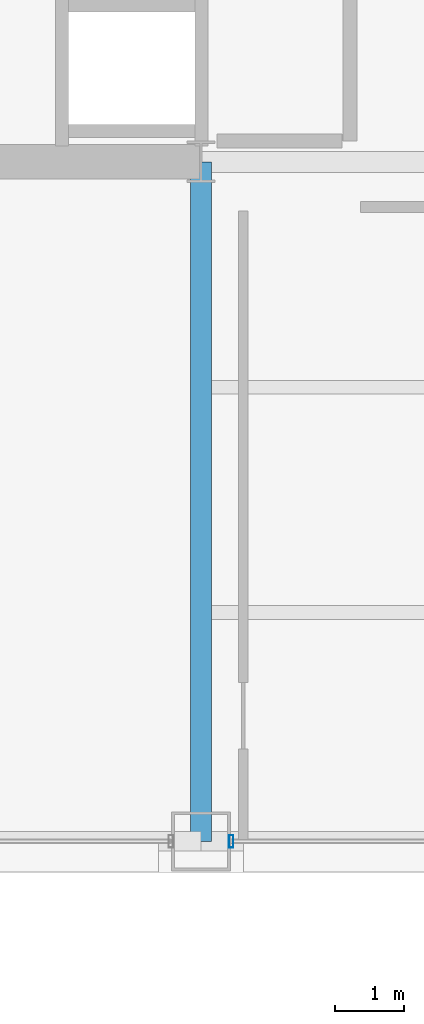
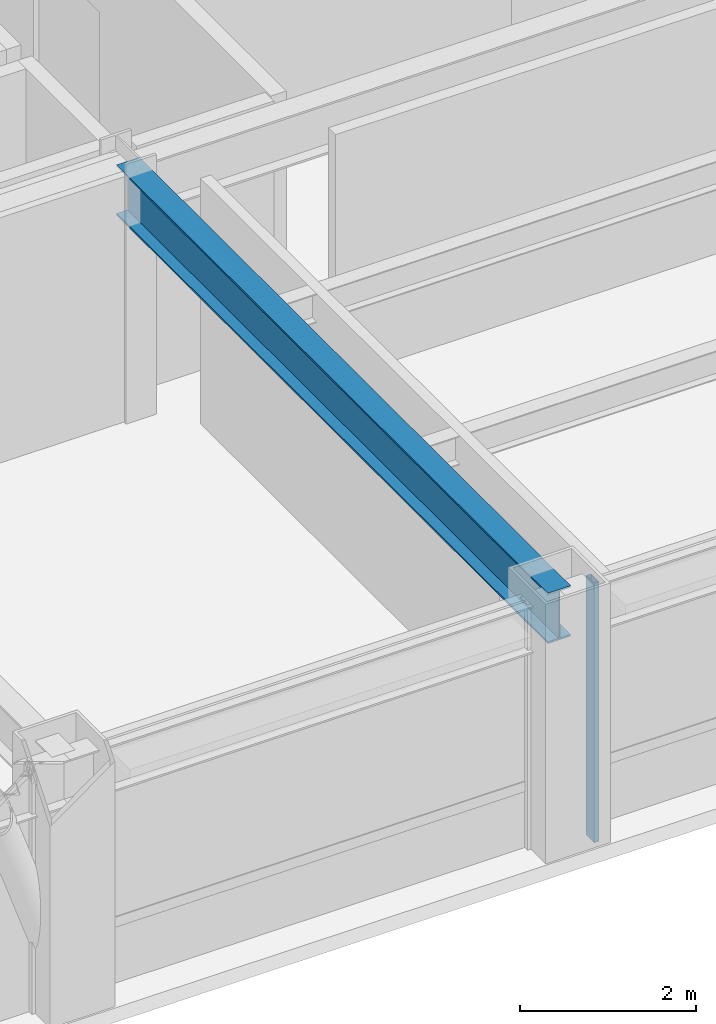
# One storey, part 6 of 34: 1 beam, 1 member, 1 element without a shape of its own.
"""IFC4 building model written with IfcOpenShell, lengths in metres."""

import ifcopenshell
import ifcopenshell.guid

model = None  # the IFC model being written
_history = None  # IfcOwnerHistory: only IFC2X3 demands one
_inside = {}  # id of a spatial element -> (the spatial element, [elements in it])
_under = {}  # id of a project, library or spatial element -> (it, [spatial elements below it])
_declared = {}  # id of a project -> (the project, [libraries it declares])
_typed = {}  # id of a type object -> (the type object, [elements of that type])
_made_of = {}  # id of a material, layer set ... -> (it, [elements and type objects made of it])


def new_model(schema):
    """Start an empty IFC model of exactly this schema.

    Asked for "IFC4X3", IfcOpenShell would pick the latest addendum, in which some entities
    have other attributes; the version numbers below select the first issue.
    IFC2X3 requires an IfcOwnerHistory on every rooted entity: one is made here for all.
    """
    global model, _history
    if schema == "IFC4X3":
        model = ifcopenshell.file(schema_version=(4, 3, 0, 0))
    else:
        model = ifcopenshell.file(schema=schema)
    _inside.clear()
    _under.clear()
    _declared.clear()
    _typed.clear()
    _made_of.clear()
    _history = None
    if model.schema == "IFC2X3":
        org = make("IfcOrganization", Name="unknown")
        user = make(
            "IfcPersonAndOrganization",
            ThePerson=make("IfcPerson", FamilyName="unknown"),
            TheOrganization=org,
        )
        app = make(
            "IfcApplication",
            ApplicationDeveloper=org,
            Version="unknown",
            ApplicationFullName="unknown",
            ApplicationIdentifier="unknown",
        )
        _history = make(
            "IfcOwnerHistory",
            OwningUser=user,
            OwningApplication=app,
            ChangeAction="ADDED",
            CreationDate=0,
        )
    return model


def make(cls, **values):
    """One entity of the class cls with the attributes given. An attribute that is None is left unset."""
    return model.create_entity(
        cls, **{name: value for name, value in values.items() if value is not None}
    )


def rooted(cls, **values):
    """An entity with a GlobalId (a new one), such as an element, a storey or a relation."""
    return make(cls, GlobalId=ifcopenshell.guid.new(), OwnerHistory=_history, **values)


def si_unit(unit_type, name, prefix=None):
    """IfcSIUnit, for example si_unit("LENGTHUNIT", "METRE", prefix="MILLI")."""
    return make("IfcSIUnit", UnitType=unit_type, Prefix=prefix, Name=name)


def assignment(units):
    """IfcUnitAssignment: the units of a project."""
    return None if units is None else make("IfcUnitAssignment", Units=units)


def point(xyz):
    """IfcCartesianPoint."""
    return None if xyz is None else make("IfcCartesianPoint", Coordinates=xyz)


def direction(xyz):
    """IfcDirection."""
    return None if xyz is None else make("IfcDirection", DirectionRatios=xyz)


def frame(location, z_axis=None, x_axis=None):
    """IfcAxis2Placement3D, a coordinate frame: its origin and axes. An axis left out is left unset."""
    return make(
        "IfcAxis2Placement3D",
        Location=point(location),
        Axis=direction(z_axis),
        RefDirection=direction(x_axis),
    )


def frame_2d(location, x_axis=None):
    """IfcAxis2Placement2D, a coordinate frame in the plane: its origin and x axis."""
    return make(
        "IfcAxis2Placement2D", Location=point(location), RefDirection=direction(x_axis)
    )


def origin():
    """The frame at (0, 0, 0) with its axes left unset."""
    return frame((0.0, 0.0, 0.0))


def origin_2d():
    """The frame at (0, 0) in the plane with its x axis left unset."""
    return frame_2d((0.0, 0.0))


def place(relative_to, where):
    """IfcLocalPlacement: puts the frame where relative to a parent placement (None: the world)."""
    return make(
        "IfcLocalPlacement", PlacementRelTo=relative_to, RelativePlacement=where
    )


def context(
    kind, dimensions, precision=None, world=None, true_north=None, identifier=None
):
    """IfcGeometricRepresentationContext, for example the 3D "Model" context."""
    return make(
        "IfcGeometricRepresentationContext",
        ContextIdentifier=identifier,
        ContextType=kind,
        CoordinateSpaceDimension=dimensions,
        Precision=precision,
        WorldCoordinateSystem=world,
        TrueNorth=true_north,
    )


def subcontext(parent, identifier, kind, view, scale=None):
    """IfcGeometricRepresentationSubContext, for example "Body" below "Model"."""
    return make(
        "IfcGeometricRepresentationSubContext",
        ContextIdentifier=identifier,
        ContextType=kind,
        ParentContext=parent,
        TargetScale=scale,
        TargetView=view,
    )


def project(units=None, contexts=None):
    """IfcProject with its units and contexts."""
    return rooted(
        "IfcProject",
        Name="project",
        RepresentationContexts=contexts,
        UnitsInContext=assignment(units),
    )


def spatial(cls, under=None, at=None, **own):
    """A site, building, storey or space (cls), placed at a placement, below another one or the project."""
    s = rooted(cls, ObjectPlacement=at, **own)
    if under is not None:
        _under.setdefault(under.id(), (under, []))[1].append(s)
    return s


def profile(cls, at=None, kind="AREA", **sizes):
    """A parametric profile (cls). Its sizes go by their IFC names, for example OverallWidth=200.0."""
    return make(cls, ProfileType=kind, Position=at, **sizes)


def hollow_rectangle(**sizes):
    """IfcRectangleHollowProfileDef."""
    return profile("IfcRectangleHollowProfileDef", **sizes)


def i_section(**sizes):
    """IfcIShapeProfileDef."""
    return profile("IfcIShapeProfileDef", **sizes)


def extrude(swept, where, along, depth):
    """IfcExtrudedAreaSolid: the profile swept, set in the frame where, extruded along a direction by depth."""
    return make(
        "IfcExtrudedAreaSolid",
        SweptArea=swept,
        Position=where,
        ExtrudedDirection=direction(along),
        Depth=depth,
    )


def shape(context_of_items, identifier, shape_type, items):
    """IfcShapeRepresentation: the items that make up one representation, for example the "Body"."""
    return make(
        "IfcShapeRepresentation",
        ContextOfItems=context_of_items,
        RepresentationIdentifier=identifier,
        RepresentationType=shape_type,
        Items=items,
    )


def material(Name=None, Category=None):
    """IfcMaterial."""
    return make("IfcMaterial", Name=Name, Category=Category)


def layer(
    of_material, thickness, ventilated=None, Name=None, Category=None, Priority=None
):
    """IfcMaterialLayer: one layer of a wall or slab, of a material (None: an air gap)."""
    return make(
        "IfcMaterialLayer",
        Material=of_material,
        LayerThickness=thickness,
        IsVentilated=ventilated,
        Name=Name,
        Category=Category,
        Priority=Priority,
    )


def layer_set(layers, Name=None):
    """IfcMaterialLayerSet."""
    return make("IfcMaterialLayerSet", MaterialLayers=layers, LayerSetName=Name)


def material_profile(
    of_material, cross_section, Name=None, Category=None, Priority=None
):
    """IfcMaterialProfile: a cross section and its material."""
    return make(
        "IfcMaterialProfile",
        Name=Name,
        Material=of_material,
        Profile=cross_section,
        Priority=Priority,
        Category=Category,
    )


def profile_set(profiles, Name=None, composite=None):
    """IfcMaterialProfileSet."""
    return make(
        "IfcMaterialProfileSet",
        Name=Name,
        MaterialProfiles=profiles,
        CompositeProfile=composite,
    )


def made_of(thing, what):
    """Note that an element or type object is made of a material, layer set ...; save() writes the relation."""
    if what is not None:
        _made_of.setdefault(what.id(), (what, []))[1].append(thing)
    return thing


def type_object(cls, material=None, **own):
    """A type object (cls), such as IfcWallType, which elements share."""
    return made_of(rooted(cls, **own), material)


def element(
    cls,
    number,
    at=None,
    inside=None,
    cuts=None,
    type_object=None,
    material=None,
    context=None,
    identifier="Body",
    shape_type=None,
    held_by="IfcProductDefinitionShape",
    body=None,
    shapes=None,
    **own,
):
    """One element of the class cls, such as IfcWall. Its Tag is "e" and its number.

    at: its placement. inside: the storey or other place that contains it. cuts: it is an
    opening in that element (IfcRelVoidsElement). A single representation is given by context,
    identifier, shape_type and body (its items); several are given by shapes. held_by: the class
    of the entity that holds the representations. save() writes the other relations.
    """
    e = rooted(cls, Tag="e%d" % number, ObjectPlacement=at, **own)
    if body is not None:
        shapes = [shape(context, identifier, shape_type, body)]
    if shapes is not None:
        e.Representation = make(held_by, Representations=shapes)
    if inside is not None:
        _inside.setdefault(inside.id(), (inside, []))[1].append(e)
    if cuts is not None:
        rooted(
            "IfcRelVoidsElement", RelatingBuildingElement=cuts, RelatedOpeningElement=e
        )
    if type_object is not None:
        _typed.setdefault(type_object.id(), (type_object, []))[1].append(e)
    return made_of(e, material)


def aggregate(whole, parts):
    """IfcRelAggregates: a whole, such as a stair, and the parts it consists of."""
    return rooted("IfcRelAggregates", RelatingObject=whole, RelatedObjects=parts)


def save(model, path):
    """Write the relations noted so far, then the file.

    IfcRelAggregates (storeys below a building ...), IfcRelContainedInSpatialStructure (elements
    in a storey), IfcRelDefinesByType, IfcRelAssociatesMaterial and IfcRelDeclares: one each for
    every whole, place, type object, material and project.
    """
    for whole, parts in _under.values():
        aggregate(whole, parts)
    for where, things in _inside.values():
        rooted(
            "IfcRelContainedInSpatialStructure",
            RelatedElements=things,
            RelatingStructure=where,
        )
    for kind, things in _typed.values():
        rooted("IfcRelDefinesByType", RelatedObjects=things, RelatingType=kind)
    for what, things in _made_of.values():
        rooted("IfcRelAssociatesMaterial", RelatedObjects=things, RelatingMaterial=what)
    for by, libraries in _declared.values():
        rooted("IfcRelDeclares", RelatingContext=by, RelatedDefinitions=libraries)
    model.write(path)


model = new_model("IFC4")

# Units and contexts
model_context = context("Model", 3, precision=1e-05, world=origin(), true_north=direction((0.0, 1.0)))
body_context = subcontext(model_context, "Body", "Model", "MODEL_VIEW")
ifc_project = project(units=[si_unit("LENGTHUNIT", "METRE"), si_unit("AREAUNIT", "SQUARE_METRE"), si_unit("VOLUMEUNIT", "CUBIC_METRE"), si_unit("PLANEANGLEUNIT", "RADIAN"), si_unit("MASSUNIT", "GRAM", prefix="KILO")], contexts=[model_context])

# Site, building, storey
site_placement = place(None, origin())
site = spatial("IfcSite", under=ifc_project, at=site_placement, CompositionType="ELEMENT")
building_placement = place(site_placement, origin())
building = spatial("IfcBuilding", under=site, at=building_placement, Name="Brelmoor Portico Tower", CompositionType="ELEMENT")
storey_placement = place(building_placement, frame((0.0, 0.0, 99.0)))
storey = spatial("IfcBuildingStorey", under=building, at=storey_placement, Name="L25", CompositionType="ELEMENT", Elevation=99.0)

# Beam
ifc_material_1 = material(Name="Steel Q355B", Category="steel")
ifc_material_profile_1 = material_profile(ifc_material_1, i_section(OverallWidth=0.300048828125, OverallDepth=0.699951171875, WebThickness=0.012939453125, FlangeThickness=0.02392578125, at=origin_2d()), Name="HN 700x300x13x24")
ifc_profile_set_1 = profile_set([ifc_material_profile_1], Name="Steel Q355B")
beam_type = type_object("IfcBeamType", Name="BM-PG-700", PredefinedType="BEAM", material=ifc_profile_set_1)
beam_placement = place(storey_placement, frame((-8.050048828125, -19.550048828125, 3.050048828125), z_axis=(0.0, 1.0, 0.0), x_axis=(-1.0, 0.0, 0.0)))
element("IfcBeam", 1, at=beam_placement, inside=storey, type_object=beam_type, Name="L25 Primary Floor Girder PG-05", PredefinedType="BEAM", context=body_context, shape_type="SweptSolid", body=[
    extrude(i_section(OverallWidth=0.300048828125, OverallDepth=0.699951171875, WebThickness=0.012939453125, FlangeThickness=0.02392578125, at=origin_2d()), origin(), (0.0, 0.0, 1.0), 9.800048828125),
])

# Curtain wall, member
ifc_material_2 = material(Name="Anodised Aluminium Alloy 6063-T6", Category="aluminium")
ifc_layer = layer(ifc_material_2, 0.179931640625)
ifc_layer_set = layer_set([ifc_layer], Name="Anodised Aluminium Alloy 6063-T6")
curtain_wall_type = type_object("IfcCurtainWallType", Name="CW-TOWER-Z2", PredefinedType="NOTDEFINED", material=ifc_layer_set)
curtain_wall_placement = place(storey_placement, origin())
curtain_wall = element("IfcCurtainWall", 2, at=curtain_wall_placement, inside=storey, type_object=curtain_wall_type, Name="L25 Curtain Wall CW-L25-1L-3", PredefinedType="NOTDEFINED")
ifc_material_profile_2 = material_profile(ifc_material_2, hollow_rectangle(XDim=0.06494140625, YDim=0.179931640625, WallThickness=0.00390625, at=origin_2d()), Name="ALU MULLION 65x180")
ifc_profile_set_2 = profile_set([ifc_material_profile_2], Name="Anodised Aluminium Alloy 6063-T6")
member_type = type_object("IfcMemberType", Name="MB-CW-MULL-180", PredefinedType="MULLION", material=ifc_profile_set_2)
member_placement = place(storey_placement, frame((-7.614990234375, -19.550048828125, -0.199951171875), z_axis=(0.0, 0.0, 1.0), x_axis=(1.0, 0.0, 0.0)))
member = element("IfcMember", 3, at=member_placement, type_object=member_type, Name="CW-L25-1L-3 Mullion 00", PredefinedType="MULLION", context=body_context, shape_type="SweptSolid", body=[
    extrude(hollow_rectangle(XDim=0.06494140625, YDim=0.179931640625, WallThickness=0.00390625, at=origin_2d()), origin(), (0.0, 0.0, 1.0), 3.599853515625),
])
aggregate(curtain_wall, [member])

save(model, "model.ifc")
